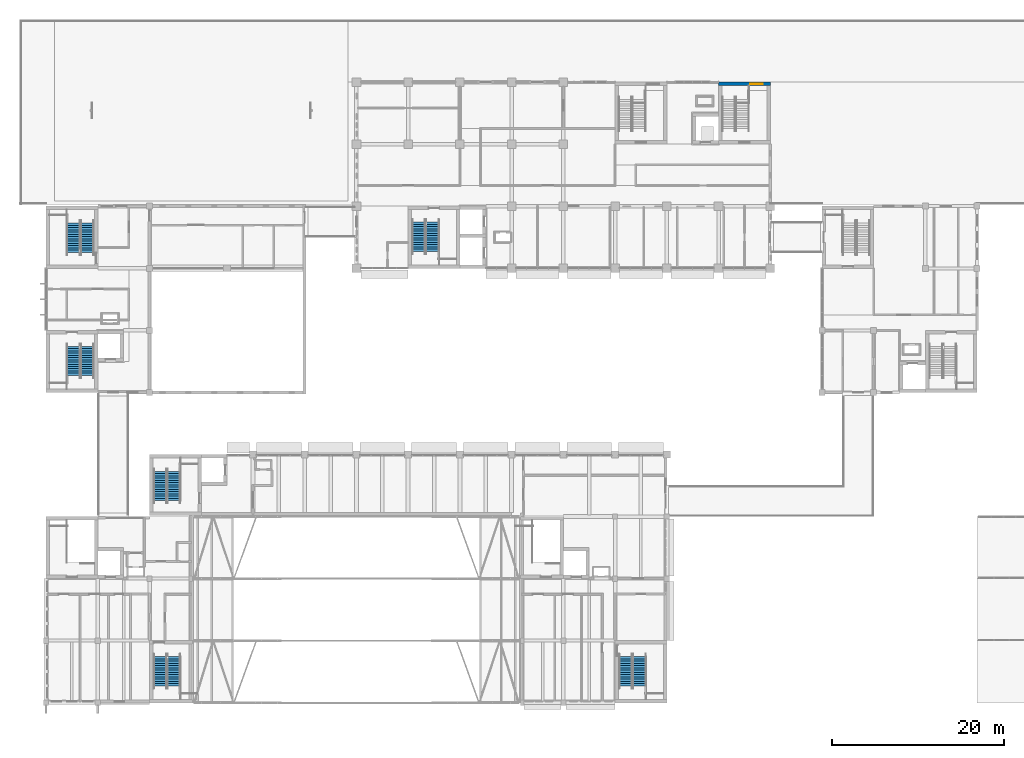
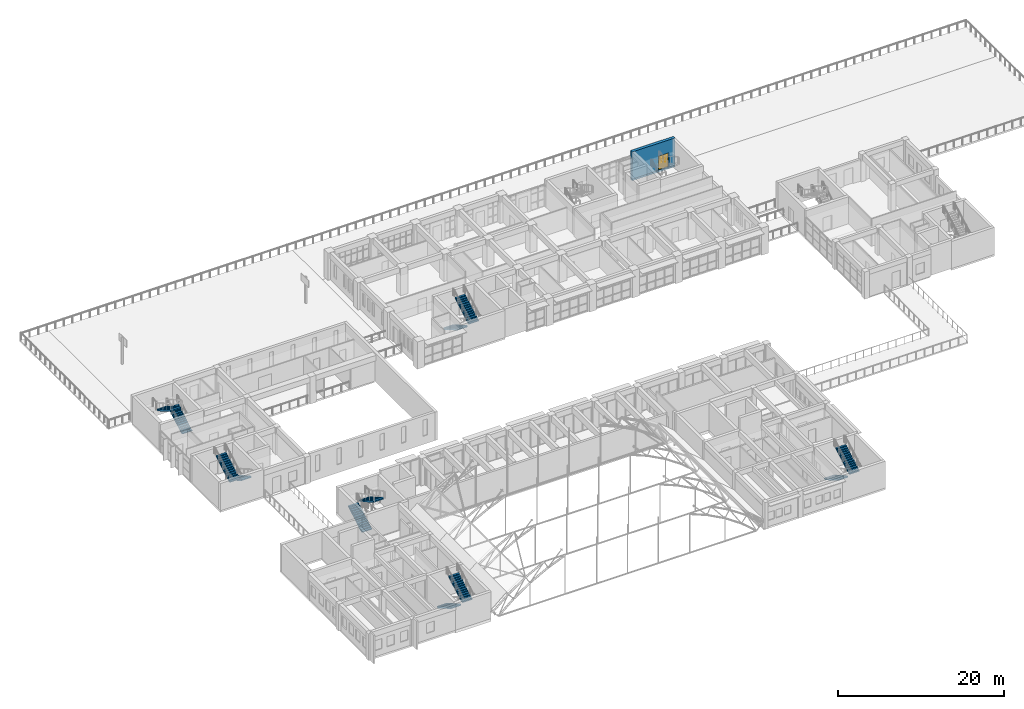
# One storey, part 80 of 101: 12 stair flights, 2 walls, 1 door, 1 opening, 6 elements without a shape of their own.
"""IFC4 building model written with IfcOpenShell, lengths in metres."""

from ifc_helpers import new_model, si_unit, direction, frame, frame_2d, origin, place, context, subcontext, project, spatial, polyline, rectangle, outline, extrude, material, layer, layer_set, type_object, element, fill, aggregate, save


model = new_model("IFC4")

# Units and contexts
model_context = context("Model", 3, precision=1e-05, world=origin(), true_north=direction((0.0, 1.0)))
body_context = subcontext(model_context, "Body", "Model", "MODEL_VIEW")
ifc_project = project(units=[si_unit("LENGTHUNIT", "METRE"), si_unit("AREAUNIT", "SQUARE_METRE"), si_unit("VOLUMEUNIT", "CUBIC_METRE"), si_unit("PLANEANGLEUNIT", "RADIAN"), si_unit("MASSUNIT", "GRAM", prefix="KILO")], contexts=[model_context])

# Site, building, storey
site_placement = place(None, origin())
site = spatial("IfcSite", under=ifc_project, at=site_placement, CompositionType="ELEMENT")
building_placement = place(site_placement, origin())
building = spatial("IfcBuilding", under=site, at=building_placement, Name="Laocheng Heights Fire and Rescue Headquarters", CompositionType="ELEMENT")
storey_placement = place(building_placement, frame((0.0, 0.0, 8.39990234375)))
storey = spatial("IfcBuildingStorey", under=building, at=storey_placement, Name="L02", CompositionType="ELEMENT", Elevation=8.39990234375)

# Wall, opening, door
ifc_material_1 = material(Name="Concrete C50", Category="concrete")
ifc_layer_1 = layer(ifc_material_1, 0.39990234375)
ifc_layer_set_1 = layer_set([ifc_layer_1], Name="Concrete C50")
wall_type_1 = type_object("IfcWallType", Name="RC STAIR ENCLOSURE WALL 400", PredefinedType="SHEAR", material=ifc_layer_set_1)
wall_1_placement = place(storey_placement, frame((78.0, 71.800048828125, 0.0), z_axis=(0.0, 0.0, 1.0), x_axis=(1.0, 0.0, 0.0)))
wall_1 = element("IfcWall", 1, at=wall_1_placement, inside=storey, type_object=wall_type_1, Name="Stair enclosure wall", PredefinedType="SHEAR", context=body_context, shape_type="SweptSolid", body=[
    extrude(rectangle(XDim=6.0, YDim=0.39990234375, at=frame_2d((3.0, 0.0))), origin(), (0.0, 0.0, 1.0), 4.0),
])
opening_placement = place(wall_1_placement, frame((3.699951171875, 0.0, 0.0)))
opening = element("IfcOpeningElement", 2, at=opening_placement, cuts=wall_1, Name="Opening L02-K26", PredefinedType="OPENING", context=body_context, shape_type="SweptSolid", body=[
    extrude(rectangle(XDim=1.39990234375, YDim=2.10009765625, at=frame_2d((0.699951171875, 1.050048828125))), frame((0.0, 0.2099609375, 0.0), z_axis=(0.0, -1.0, 0.0), x_axis=(1.0, 0.0, 0.0)), (0.0, 0.0, 1.0), 0.419921875),
])
ifc_material_2 = material(Name="Painted steel", Category="steel")
door_type = type_object("IfcDoorType", Name="STAIR EXIT DOOR 1400x2100 EI 60", OperationType="DOUBLE_DOOR_SINGLE_SWING", PredefinedType="DOOR", material=ifc_material_2)
door_placement = place(opening_placement, origin())
door = element("IfcDoor", 3, at=door_placement, inside=storey, type_object=door_type, Name="Stair H2 exit door", OperationType="DOUBLE_DOOR_SINGLE_SWING", OverallHeight=2.10009765625, OverallWidth=1.39990234375, PredefinedType="DOOR", context=body_context, shape_type="SweptSolid", body=[
    extrude(rectangle(XDim=1.39990234375, YDim=2.10009765625, at=frame_2d((0.699951171875, 1.050048828125))), frame((0.0, 0.02490234375, 0.0), z_axis=(0.0, -1.0, 0.0), x_axis=(1.0, 0.0, 0.0)), (0.0, 0.0, 1.0), 0.050048828125),
])
fill(opening, door)

# Wall
ifc_material_3 = material(Name="Concrete C40", Category="concrete")
ifc_layer_2 = layer(ifc_material_3, 0.39990234375)
ifc_layer_set_2 = layer_set([ifc_layer_2], Name="Concrete C40")
wall_type_2 = type_object("IfcWallType", Name="STAIR KERB WALL 400", PredefinedType="SOLIDWALL", material=ifc_layer_set_2)
wall_2_placement = place(storey_placement, frame((78.0, 71.800048828125, -0.25), z_axis=(0.0, 0.0, 1.0), x_axis=(1.0, 0.0, 0.0)))
element("IfcWall", 4, at=wall_2_placement, inside=storey, type_object=wall_type_2, Name="Stair kerb wall", PredefinedType="SOLIDWALL", context=body_context, shape_type="SweptSolid", body=[
    extrude(rectangle(XDim=6.0, YDim=0.39990234375, at=frame_2d((3.0, 0.0))), origin(), (0.0, 0.0, 1.0), 0.25),
])

# Stair, stair flights
ifc_material_4 = material(Name="Concrete C40", Category="concrete")
stair_type = type_object("IfcStairType", Name="RC STAIR 1400 TWO FLIGHTS 28 RISERS OF 150 GOING 260", PredefinedType="HALF_TURN_STAIR", material=ifc_material_4)
stair_1_placement = place(storey_placement, origin())
stair_1 = element("IfcStair", 5, at=stair_1_placement, inside=storey, type_object=stair_type, Name="Stair W2 (L02 to L03)", PredefinedType="HALF_TURN_STAIR")
ifc_material_5 = material(Name="Concrete C40", Category="concrete")
stair_flight_type = type_object("IfcStairFlightType", Name="RC STAIR FLIGHT 1400 RISERS OF 150 GOING 260", PredefinedType="STRAIGHT", material=ifc_material_5)
stair_flight_1_placement = place(storey_placement, frame((13.22509765625, 5.35009765625, 0.0), z_axis=(0.0, 0.0, 1.0), x_axis=(0.0, -1.0, 0.0)))
stair_flight_1 = element("IfcStairFlight", 6, at=stair_flight_1_placement, type_object=stair_flight_type, Name="W2-L02 flight 1", NumberOfRisers=14, NumberOfTreads=13, PredefinedType="STRAIGHT", RiserHeight=0.15, TreadLength=0.26, context=body_context, shape_type="SweptSolid", body=[
    extrude(outline(polyline([(0.0, 0.0), (0.0, 0.14990234375), (0.260009765625, 0.14990234375), (0.260009765625, 0.300048828125), (0.52001953125, 0.300048828125), (0.52001953125, 0.449951171875), (0.780029296875, 0.449951171875), (0.780029296875, 0.60009765625), (1.0400390625, 0.60009765625), (1.0400390625, 0.75), (1.300048828125, 0.75), (1.300048828125, 0.89990234375), (1.56005859375, 0.89990234375), (1.56005859375, 1.050048828125), (1.820068359375, 1.050048828125), (1.820068359375, 1.199951171875), (2.080078125, 1.199951171875), (2.080078125, 1.35009765625), (2.340087890625, 1.35009765625), (2.340087890625, 1.5), (2.60009765625, 1.5), (2.60009765625, 1.64990234375), (2.860107421875, 1.64990234375), (2.860107421875, 1.800048828125), (3.1201171875, 1.800048828125), (3.1201171875, 1.949951171875), (3.3798828125, 1.949951171875), (3.3798828125, 2.10009765625), (3.3798828125, 1.77685546875), (0.300048828125, 0.0), (0.0, 0.0)])), frame((0.0, 0.699951171875, 0.0), z_axis=(0.0, -1.0, 0.0), x_axis=(1.0, 0.0, 0.0)), (0.0, 0.0, 1.0), 1.39990234375),
])
stair_flight_2_placement = place(storey_placement, frame((14.824951171875, 1.969970703125, 2.10205078125), z_axis=(0.0, 0.0, 1.0), x_axis=(0.0, 1.0, 0.0)))
stair_flight_2 = element("IfcStairFlight", 7, at=stair_flight_2_placement, type_object=stair_flight_type, Name="W2-L02 flight 2", NumberOfRisers=14, NumberOfTreads=13, PredefinedType="STRAIGHT", RiserHeight=0.15, TreadLength=0.26, context=body_context, shape_type="SweptSolid", body=[
    extrude(outline(polyline([(0.0, 0.0), (0.0, 0.14990234375), (0.260009765625, 0.14990234375), (0.260009765625, 0.300048828125), (0.52001953125, 0.300048828125), (0.52001953125, 0.449951171875), (0.780029296875, 0.449951171875), (0.780029296875, 0.60009765625), (1.0400390625, 0.60009765625), (1.0400390625, 0.75), (1.300048828125, 0.75), (1.300048828125, 0.89990234375), (1.56005859375, 0.89990234375), (1.56005859375, 1.050048828125), (1.820068359375, 1.050048828125), (1.820068359375, 1.199951171875), (2.080078125, 1.199951171875), (2.080078125, 1.35009765625), (2.340087890625, 1.35009765625), (2.340087890625, 1.5), (2.60009765625, 1.5), (2.60009765625, 1.64990234375), (2.860107421875, 1.64990234375), (2.860107421875, 1.800048828125), (3.1201171875, 1.800048828125), (3.1201171875, 1.949951171875), (3.3798828125, 1.949951171875), (3.3798828125, 2.10009765625), (3.3798828125, 1.77685546875), (0.300048828125, 0.0), (0.0, 0.0)])), frame((0.0, 0.699951171875, 0.0), z_axis=(0.0, -1.0, 0.0), x_axis=(1.0, 0.0, 0.0)), (0.0, 0.0, 1.0), 1.39990234375),
])
aggregate(stair_1, [stair_flight_1, stair_flight_2])

stair_2_placement = place(storey_placement, origin())
stair_2 = element("IfcStair", 8, at=stair_2_placement, inside=storey, type_object=stair_type, Name="Stair E2 (L02 to L03)", PredefinedType="HALF_TURN_STAIR")
stair_flight_3_placement = place(storey_placement, frame((67.22509765625, 5.35009765625, 0.0), z_axis=(0.0, 0.0, 1.0), x_axis=(0.0, -1.0, 0.0)))
stair_flight_3 = element("IfcStairFlight", 9, at=stair_flight_3_placement, type_object=stair_flight_type, Name="E2-L02 flight 1", NumberOfRisers=14, NumberOfTreads=13, PredefinedType="STRAIGHT", RiserHeight=0.15, TreadLength=0.26, context=body_context, shape_type="SweptSolid", body=[
    extrude(outline(polyline([(0.0, 0.0), (0.0, 0.14990234375), (0.260009765625, 0.14990234375), (0.260009765625, 0.300048828125), (0.52001953125, 0.300048828125), (0.52001953125, 0.449951171875), (0.780029296875, 0.449951171875), (0.780029296875, 0.60009765625), (1.0400390625, 0.60009765625), (1.0400390625, 0.75), (1.300048828125, 0.75), (1.300048828125, 0.89990234375), (1.56005859375, 0.89990234375), (1.56005859375, 1.050048828125), (1.820068359375, 1.050048828125), (1.820068359375, 1.199951171875), (2.080078125, 1.199951171875), (2.080078125, 1.35009765625), (2.340087890625, 1.35009765625), (2.340087890625, 1.5), (2.60009765625, 1.5), (2.60009765625, 1.64990234375), (2.860107421875, 1.64990234375), (2.860107421875, 1.800048828125), (3.1201171875, 1.800048828125), (3.1201171875, 1.949951171875), (3.3798828125, 1.949951171875), (3.3798828125, 2.10009765625), (3.3798828125, 1.77685546875), (0.300048828125, 0.0), (0.0, 0.0)])), frame((0.0, 0.699951171875, 0.0), z_axis=(0.0, -1.0, 0.0), x_axis=(1.0, 0.0, 0.0)), (0.0, 0.0, 1.0), 1.39990234375),
])
stair_flight_4_placement = place(storey_placement, frame((68.824951171875, 1.969970703125, 2.10205078125), z_axis=(0.0, 0.0, 1.0), x_axis=(0.0, 1.0, 0.0)))
stair_flight_4 = element("IfcStairFlight", 10, at=stair_flight_4_placement, type_object=stair_flight_type, Name="E2-L02 flight 2", NumberOfRisers=14, NumberOfTreads=13, PredefinedType="STRAIGHT", RiserHeight=0.15, TreadLength=0.26, context=body_context, shape_type="SweptSolid", body=[
    extrude(outline(polyline([(0.0, 0.0), (0.0, 0.14990234375), (0.260009765625, 0.14990234375), (0.260009765625, 0.300048828125), (0.52001953125, 0.300048828125), (0.52001953125, 0.449951171875), (0.780029296875, 0.449951171875), (0.780029296875, 0.60009765625), (1.0400390625, 0.60009765625), (1.0400390625, 0.75), (1.300048828125, 0.75), (1.300048828125, 0.89990234375), (1.56005859375, 0.89990234375), (1.56005859375, 1.050048828125), (1.820068359375, 1.050048828125), (1.820068359375, 1.199951171875), (2.080078125, 1.199951171875), (2.080078125, 1.35009765625), (2.340087890625, 1.35009765625), (2.340087890625, 1.5), (2.60009765625, 1.5), (2.60009765625, 1.64990234375), (2.860107421875, 1.64990234375), (2.860107421875, 1.800048828125), (3.1201171875, 1.800048828125), (3.1201171875, 1.949951171875), (3.3798828125, 1.949951171875), (3.3798828125, 2.10009765625), (3.3798828125, 1.77685546875), (0.300048828125, 0.0), (0.0, 0.0)])), frame((0.0, 0.699951171875, 0.0), z_axis=(0.0, -1.0, 0.0), x_axis=(1.0, 0.0, 0.0)), (0.0, 0.0, 1.0), 1.39990234375),
])
aggregate(stair_2, [stair_flight_3, stair_flight_4])

stair_3_placement = place(storey_placement, origin())
stair_3 = element("IfcStair", 11, at=stair_3_placement, inside=storey, type_object=stair_type, Name="Stair G1 (L02 to L03)", PredefinedType="HALF_TURN_STAIR")
stair_flight_5_placement = place(storey_placement, frame((13.22509765625, 23.449951171875, 0.0), z_axis=(0.0, 0.0, 1.0), x_axis=(0.0, 1.0, 0.0)))
stair_flight_5 = element("IfcStairFlight", 12, at=stair_flight_5_placement, type_object=stair_flight_type, Name="G1-L02 flight 1", NumberOfRisers=14, NumberOfTreads=13, PredefinedType="STRAIGHT", RiserHeight=0.15, TreadLength=0.26, context=body_context, shape_type="SweptSolid", body=[
    extrude(outline(polyline([(0.0, 0.0), (0.0, 0.14990234375), (0.260009765625, 0.14990234375), (0.260009765625, 0.300048828125), (0.52001953125, 0.300048828125), (0.52001953125, 0.449951171875), (0.780029296875, 0.449951171875), (0.780029296875, 0.60009765625), (1.0400390625, 0.60009765625), (1.0400390625, 0.75), (1.300048828125, 0.75), (1.300048828125, 0.89990234375), (1.56005859375, 0.89990234375), (1.56005859375, 1.050048828125), (1.820068359375, 1.050048828125), (1.820068359375, 1.199951171875), (2.080078125, 1.199951171875), (2.080078125, 1.35009765625), (2.340087890625, 1.35009765625), (2.340087890625, 1.5), (2.60009765625, 1.5), (2.60009765625, 1.64990234375), (2.860107421875, 1.64990234375), (2.860107421875, 1.800048828125), (3.1201171875, 1.800048828125), (3.1201171875, 1.949951171875), (3.3798828125, 1.949951171875), (3.3798828125, 2.10009765625), (3.3798828125, 1.77685546875), (0.300048828125, 0.0), (0.0, 0.0)])), frame((0.0, 0.699951171875, 0.0), z_axis=(0.0, -1.0, 0.0), x_axis=(1.0, 0.0, 0.0)), (0.0, 0.0, 1.0), 1.39990234375),
])
stair_flight_6_placement = place(storey_placement, frame((14.824951171875, 26.830078125, 2.10205078125), z_axis=(0.0, 0.0, 1.0), x_axis=(0.0, -1.0, 0.0)))
stair_flight_6 = element("IfcStairFlight", 13, at=stair_flight_6_placement, type_object=stair_flight_type, Name="G1-L02 flight 2", NumberOfRisers=14, NumberOfTreads=13, PredefinedType="STRAIGHT", RiserHeight=0.15, TreadLength=0.26, context=body_context, shape_type="SweptSolid", body=[
    extrude(outline(polyline([(0.0, 0.0), (0.0, 0.14990234375), (0.260009765625, 0.14990234375), (0.260009765625, 0.300048828125), (0.52001953125, 0.300048828125), (0.52001953125, 0.449951171875), (0.780029296875, 0.449951171875), (0.780029296875, 0.60009765625), (1.0400390625, 0.60009765625), (1.0400390625, 0.75), (1.300048828125, 0.75), (1.300048828125, 0.89990234375), (1.56005859375, 0.89990234375), (1.56005859375, 1.050048828125), (1.820068359375, 1.050048828125), (1.820068359375, 1.199951171875), (2.080078125, 1.199951171875), (2.080078125, 1.35009765625), (2.340087890625, 1.35009765625), (2.340087890625, 1.5), (2.60009765625, 1.5), (2.60009765625, 1.64990234375), (2.860107421875, 1.64990234375), (2.860107421875, 1.800048828125), (3.1201171875, 1.800048828125), (3.1201171875, 1.949951171875), (3.3798828125, 1.949951171875), (3.3798828125, 2.10009765625), (3.3798828125, 1.77685546875), (0.300048828125, 0.0), (0.0, 0.0)])), frame((0.0, 0.699951171875, 0.0), z_axis=(0.0, -1.0, 0.0), x_axis=(1.0, 0.0, 0.0)), (0.0, 0.0, 1.0), 1.39990234375),
])
aggregate(stair_3, [stair_flight_5, stair_flight_6])

stair_4_placement = place(storey_placement, origin())
stair_4 = element("IfcStair", 14, at=stair_4_placement, inside=storey, type_object=stair_type, Name="Stair P1 (L02 to L03)", PredefinedType="HALF_TURN_STAIR")
stair_flight_7_placement = place(storey_placement, frame((4.77490234375, 41.35009765625, 0.0), z_axis=(0.0, 0.0, 1.0), x_axis=(0.0, -1.0, 0.0)))
stair_flight_7 = element("IfcStairFlight", 15, at=stair_flight_7_placement, type_object=stair_flight_type, Name="P1-L02 flight 1", NumberOfRisers=14, NumberOfTreads=13, PredefinedType="STRAIGHT", RiserHeight=0.15, TreadLength=0.26, context=body_context, shape_type="SweptSolid", body=[
    extrude(outline(polyline([(0.0, 0.0), (0.0, 0.14990234375), (0.260009765625, 0.14990234375), (0.260009765625, 0.300048828125), (0.52001953125, 0.300048828125), (0.52001953125, 0.449951171875), (0.780029296875, 0.449951171875), (0.780029296875, 0.60009765625), (1.0400390625, 0.60009765625), (1.0400390625, 0.75), (1.300048828125, 0.75), (1.300048828125, 0.89990234375), (1.56005859375, 0.89990234375), (1.56005859375, 1.050048828125), (1.820068359375, 1.050048828125), (1.820068359375, 1.199951171875), (2.080078125, 1.199951171875), (2.080078125, 1.35009765625), (2.340087890625, 1.35009765625), (2.340087890625, 1.5), (2.60009765625, 1.5), (2.60009765625, 1.64990234375), (2.860107421875, 1.64990234375), (2.860107421875, 1.800048828125), (3.1201171875, 1.800048828125), (3.1201171875, 1.949951171875), (3.3798828125, 1.949951171875), (3.3798828125, 2.10009765625), (3.3798828125, 1.77685546875), (0.300048828125, 0.0), (0.0, 0.0)])), frame((0.0, 0.699951171875, 0.0), z_axis=(0.0, -1.0, 0.0), x_axis=(1.0, 0.0, 0.0)), (0.0, 0.0, 1.0), 1.39990234375),
])
stair_flight_8_placement = place(storey_placement, frame((3.175048828125, 37.969970703125, 2.10205078125), z_axis=(0.0, 0.0, 1.0), x_axis=(0.0, 1.0, 0.0)))
stair_flight_8 = element("IfcStairFlight", 16, at=stair_flight_8_placement, type_object=stair_flight_type, Name="P1-L02 flight 2", NumberOfRisers=14, NumberOfTreads=13, PredefinedType="STRAIGHT", RiserHeight=0.15, TreadLength=0.26, context=body_context, shape_type="SweptSolid", body=[
    extrude(outline(polyline([(0.0, 0.0), (0.0, 0.14990234375), (0.260009765625, 0.14990234375), (0.260009765625, 0.300048828125), (0.52001953125, 0.300048828125), (0.52001953125, 0.449951171875), (0.780029296875, 0.449951171875), (0.780029296875, 0.60009765625), (1.0400390625, 0.60009765625), (1.0400390625, 0.75), (1.300048828125, 0.75), (1.300048828125, 0.89990234375), (1.56005859375, 0.89990234375), (1.56005859375, 1.050048828125), (1.820068359375, 1.050048828125), (1.820068359375, 1.199951171875), (2.080078125, 1.199951171875), (2.080078125, 1.35009765625), (2.340087890625, 1.35009765625), (2.340087890625, 1.5), (2.60009765625, 1.5), (2.60009765625, 1.64990234375), (2.860107421875, 1.64990234375), (2.860107421875, 1.800048828125), (3.1201171875, 1.800048828125), (3.1201171875, 1.949951171875), (3.3798828125, 1.949951171875), (3.3798828125, 2.10009765625), (3.3798828125, 1.77685546875), (0.300048828125, 0.0), (0.0, 0.0)])), frame((0.0, 0.699951171875, 0.0), z_axis=(0.0, -1.0, 0.0), x_axis=(1.0, 0.0, 0.0)), (0.0, 0.0, 1.0), 1.39990234375),
])
aggregate(stair_4, [stair_flight_7, stair_flight_8])

stair_5_placement = place(storey_placement, origin())
stair_5 = element("IfcStair", 17, at=stair_5_placement, inside=storey, type_object=stair_type, Name="Stair P2 (L02 to L03)", PredefinedType="HALF_TURN_STAIR")
stair_flight_9_placement = place(storey_placement, frame((4.77490234375, 52.25, 0.0), z_axis=(0.0, 0.0, 1.0), x_axis=(0.0, 1.0, 0.0)))
stair_flight_9 = element("IfcStairFlight", 18, at=stair_flight_9_placement, type_object=stair_flight_type, Name="P2-L02 flight 1", NumberOfRisers=14, NumberOfTreads=13, PredefinedType="STRAIGHT", RiserHeight=0.15, TreadLength=0.26, context=body_context, shape_type="SweptSolid", body=[
    extrude(outline(polyline([(0.0, 0.0), (0.0, 0.14990234375), (0.260009765625, 0.14990234375), (0.260009765625, 0.300048828125), (0.52001953125, 0.300048828125), (0.52001953125, 0.449951171875), (0.780029296875, 0.449951171875), (0.780029296875, 0.60009765625), (1.0400390625, 0.60009765625), (1.0400390625, 0.75), (1.300048828125, 0.75), (1.300048828125, 0.89990234375), (1.56005859375, 0.89990234375), (1.56005859375, 1.050048828125), (1.820068359375, 1.050048828125), (1.820068359375, 1.199951171875), (2.080078125, 1.199951171875), (2.080078125, 1.35009765625), (2.340087890625, 1.35009765625), (2.340087890625, 1.5), (2.60009765625, 1.5), (2.60009765625, 1.64990234375), (2.860107421875, 1.64990234375), (2.860107421875, 1.800048828125), (3.1201171875, 1.800048828125), (3.1201171875, 1.949951171875), (3.3798828125, 1.949951171875), (3.3798828125, 2.10009765625), (3.3798828125, 1.77685546875), (0.300048828125, 0.0), (0.0, 0.0)])), frame((0.0, 0.699951171875, 0.0), z_axis=(0.0, -1.0, 0.0), x_axis=(1.0, 0.0, 0.0)), (0.0, 0.0, 1.0), 1.39990234375),
])
stair_flight_10_placement = place(storey_placement, frame((3.175048828125, 55.6298828125, 2.10205078125), z_axis=(0.0, 0.0, 1.0), x_axis=(0.0, -1.0, 0.0)))
stair_flight_10 = element("IfcStairFlight", 19, at=stair_flight_10_placement, type_object=stair_flight_type, Name="P2-L02 flight 2", NumberOfRisers=14, NumberOfTreads=13, PredefinedType="STRAIGHT", RiserHeight=0.15, TreadLength=0.26, context=body_context, shape_type="SweptSolid", body=[
    extrude(outline(polyline([(0.0, 0.0), (0.0, 0.14990234375), (0.260009765625, 0.14990234375), (0.260009765625, 0.300048828125), (0.52001953125, 0.300048828125), (0.52001953125, 0.449951171875), (0.780029296875, 0.449951171875), (0.780029296875, 0.60009765625), (1.0400390625, 0.60009765625), (1.0400390625, 0.75), (1.300048828125, 0.75), (1.300048828125, 0.89990234375), (1.56005859375, 0.89990234375), (1.56005859375, 1.050048828125), (1.820068359375, 1.050048828125), (1.820068359375, 1.199951171875), (2.080078125, 1.199951171875), (2.080078125, 1.35009765625), (2.340087890625, 1.35009765625), (2.340087890625, 1.5), (2.60009765625, 1.5), (2.60009765625, 1.64990234375), (2.860107421875, 1.64990234375), (2.860107421875, 1.800048828125), (3.1201171875, 1.800048828125), (3.1201171875, 1.949951171875), (3.3798828125, 1.949951171875), (3.3798828125, 2.10009765625), (3.3798828125, 1.77685546875), (0.300048828125, 0.0), (0.0, 0.0)])), frame((0.0, 0.699951171875, 0.0), z_axis=(0.0, -1.0, 0.0), x_axis=(1.0, 0.0, 0.0)), (0.0, 0.0, 1.0), 1.39990234375),
])
aggregate(stair_5, [stair_flight_9, stair_flight_10])

stair_6_placement = place(storey_placement, origin())
stair_6 = element("IfcStair", 20, at=stair_6_placement, inside=storey, type_object=stair_type, Name="Stair H1 (L02 to L03)", PredefinedType="HALF_TURN_STAIR")
stair_flight_11_placement = place(storey_placement, frame((43.22509765625, 55.75, 0.0), z_axis=(0.0, 0.0, 1.0), x_axis=(0.0, -1.0, 0.0)))
stair_flight_11 = element("IfcStairFlight", 21, at=stair_flight_11_placement, type_object=stair_flight_type, Name="H1-L02 flight 1", NumberOfRisers=14, NumberOfTreads=13, PredefinedType="STRAIGHT", RiserHeight=0.15, TreadLength=0.26, context=body_context, shape_type="SweptSolid", body=[
    extrude(outline(polyline([(0.0, 0.0), (0.0, 0.14990234375), (0.260009765625, 0.14990234375), (0.260009765625, 0.300048828125), (0.52001953125, 0.300048828125), (0.52001953125, 0.449951171875), (0.780029296875, 0.449951171875), (0.780029296875, 0.60009765625), (1.0400390625, 0.60009765625), (1.0400390625, 0.75), (1.300048828125, 0.75), (1.300048828125, 0.89990234375), (1.56005859375, 0.89990234375), (1.56005859375, 1.050048828125), (1.820068359375, 1.050048828125), (1.820068359375, 1.199951171875), (2.080078125, 1.199951171875), (2.080078125, 1.35009765625), (2.340087890625, 1.35009765625), (2.340087890625, 1.5), (2.60009765625, 1.5), (2.60009765625, 1.64990234375), (2.860107421875, 1.64990234375), (2.860107421875, 1.800048828125), (3.1201171875, 1.800048828125), (3.1201171875, 1.949951171875), (3.3798828125, 1.949951171875), (3.3798828125, 2.10009765625), (3.3798828125, 1.77685546875), (0.300048828125, 0.0), (0.0, 0.0)])), frame((0.0, 0.699951171875, 0.0), z_axis=(0.0, -1.0, 0.0), x_axis=(1.0, 0.0, 0.0)), (0.0, 0.0, 1.0), 1.39990234375),
])
stair_flight_12_placement = place(storey_placement, frame((44.824951171875, 52.3701171875, 2.10205078125), z_axis=(0.0, 0.0, 1.0), x_axis=(0.0, 1.0, 0.0)))
stair_flight_12 = element("IfcStairFlight", 22, at=stair_flight_12_placement, type_object=stair_flight_type, Name="H1-L02 flight 2", NumberOfRisers=14, NumberOfTreads=13, PredefinedType="STRAIGHT", RiserHeight=0.15, TreadLength=0.26, context=body_context, shape_type="SweptSolid", body=[
    extrude(outline(polyline([(0.0, 0.0), (0.0, 0.14990234375), (0.260009765625, 0.14990234375), (0.260009765625, 0.300048828125), (0.52001953125, 0.300048828125), (0.52001953125, 0.449951171875), (0.780029296875, 0.449951171875), (0.780029296875, 0.60009765625), (1.0400390625, 0.60009765625), (1.0400390625, 0.75), (1.300048828125, 0.75), (1.300048828125, 0.89990234375), (1.56005859375, 0.89990234375), (1.56005859375, 1.050048828125), (1.820068359375, 1.050048828125), (1.820068359375, 1.199951171875), (2.080078125, 1.199951171875), (2.080078125, 1.35009765625), (2.340087890625, 1.35009765625), (2.340087890625, 1.5), (2.60009765625, 1.5), (2.60009765625, 1.64990234375), (2.860107421875, 1.64990234375), (2.860107421875, 1.800048828125), (3.1201171875, 1.800048828125), (3.1201171875, 1.949951171875), (3.3798828125, 1.949951171875), (3.3798828125, 2.10009765625), (3.3798828125, 1.77685546875), (0.300048828125, 0.0), (0.0, 0.0)])), frame((0.0, 0.699951171875, 0.0), z_axis=(0.0, -1.0, 0.0), x_axis=(1.0, 0.0, 0.0)), (0.0, 0.0, 1.0), 1.39990234375),
])
aggregate(stair_6, [stair_flight_11, stair_flight_12])

save(model, "model.ifc")
